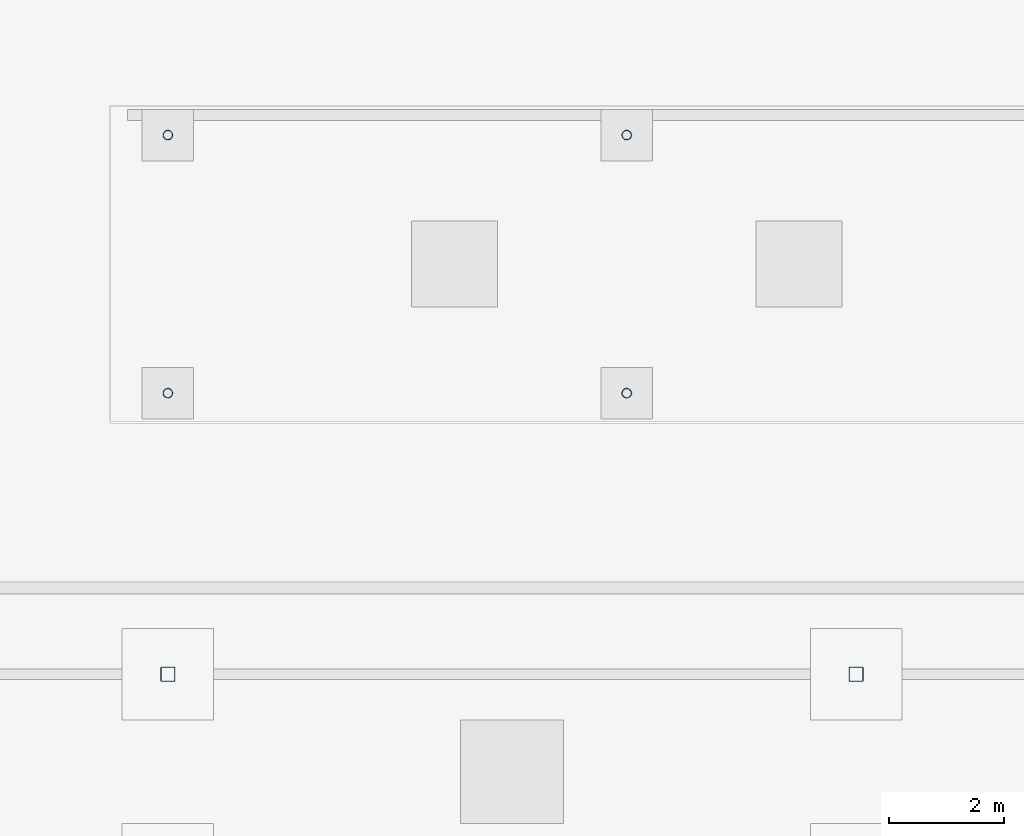
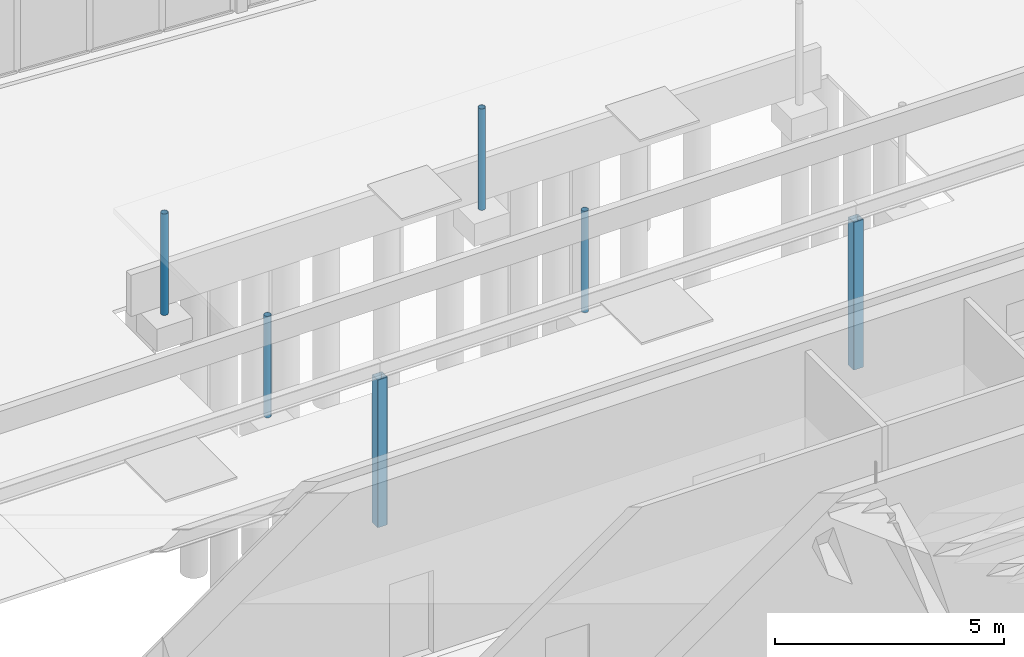
# One storey, part 16 of 157: 6 columns.
"""IFC4 building model written with IfcOpenShell, lengths in metres."""

import ifcopenshell
import ifcopenshell.guid

model = None  # the IFC model being written
_history = None  # IfcOwnerHistory: only IFC2X3 demands one
_inside = {}  # id of a spatial element -> (the spatial element, [elements in it])
_under = {}  # id of a project, library or spatial element -> (it, [spatial elements below it])
_declared = {}  # id of a project -> (the project, [libraries it declares])
_typed = {}  # id of a type object -> (the type object, [elements of that type])
_made_of = {}  # id of a material, layer set ... -> (it, [elements and type objects made of it])


def new_model(schema):
    """Start an empty IFC model of exactly this schema.

    Asked for "IFC4X3", IfcOpenShell would pick the latest addendum, in which some entities
    have other attributes; the version numbers below select the first issue.
    IFC2X3 requires an IfcOwnerHistory on every rooted entity: one is made here for all.
    """
    global model, _history
    if schema == "IFC4X3":
        model = ifcopenshell.file(schema_version=(4, 3, 0, 0))
    else:
        model = ifcopenshell.file(schema=schema)
    _inside.clear()
    _under.clear()
    _declared.clear()
    _typed.clear()
    _made_of.clear()
    _history = None
    if model.schema == "IFC2X3":
        org = make("IfcOrganization", Name="unknown")
        user = make(
            "IfcPersonAndOrganization",
            ThePerson=make("IfcPerson", FamilyName="unknown"),
            TheOrganization=org,
        )
        app = make(
            "IfcApplication",
            ApplicationDeveloper=org,
            Version="unknown",
            ApplicationFullName="unknown",
            ApplicationIdentifier="unknown",
        )
        _history = make(
            "IfcOwnerHistory",
            OwningUser=user,
            OwningApplication=app,
            ChangeAction="ADDED",
            CreationDate=0,
        )
    return model


def make(cls, **values):
    """One entity of the class cls with the attributes given. An attribute that is None is left unset."""
    return model.create_entity(
        cls, **{name: value for name, value in values.items() if value is not None}
    )


def rooted(cls, **values):
    """An entity with a GlobalId (a new one), such as an element, a storey or a relation."""
    return make(cls, GlobalId=ifcopenshell.guid.new(), OwnerHistory=_history, **values)


def si_unit(unit_type, name, prefix=None):
    """IfcSIUnit, for example si_unit("LENGTHUNIT", "METRE", prefix="MILLI")."""
    return make("IfcSIUnit", UnitType=unit_type, Prefix=prefix, Name=name)


def assignment(units):
    """IfcUnitAssignment: the units of a project."""
    return None if units is None else make("IfcUnitAssignment", Units=units)


def point(xyz):
    """IfcCartesianPoint."""
    return None if xyz is None else make("IfcCartesianPoint", Coordinates=xyz)


def direction(xyz):
    """IfcDirection."""
    return None if xyz is None else make("IfcDirection", DirectionRatios=xyz)


def frame(location, z_axis=None, x_axis=None):
    """IfcAxis2Placement3D, a coordinate frame: its origin and axes. An axis left out is left unset."""
    return make(
        "IfcAxis2Placement3D",
        Location=point(location),
        Axis=direction(z_axis),
        RefDirection=direction(x_axis),
    )


def frame_2d(location, x_axis=None):
    """IfcAxis2Placement2D, a coordinate frame in the plane: its origin and x axis."""
    return make(
        "IfcAxis2Placement2D", Location=point(location), RefDirection=direction(x_axis)
    )


def origin():
    """The frame at (0, 0, 0) with its axes left unset."""
    return frame((0.0, 0.0, 0.0))


def origin_2d():
    """The frame at (0, 0) in the plane with its x axis left unset."""
    return frame_2d((0.0, 0.0))


def place(relative_to, where):
    """IfcLocalPlacement: puts the frame where relative to a parent placement (None: the world)."""
    return make(
        "IfcLocalPlacement", PlacementRelTo=relative_to, RelativePlacement=where
    )


def context(
    kind, dimensions, precision=None, world=None, true_north=None, identifier=None
):
    """IfcGeometricRepresentationContext, for example the 3D "Model" context."""
    return make(
        "IfcGeometricRepresentationContext",
        ContextIdentifier=identifier,
        ContextType=kind,
        CoordinateSpaceDimension=dimensions,
        Precision=precision,
        WorldCoordinateSystem=world,
        TrueNorth=true_north,
    )


def subcontext(parent, identifier, kind, view, scale=None):
    """IfcGeometricRepresentationSubContext, for example "Body" below "Model"."""
    return make(
        "IfcGeometricRepresentationSubContext",
        ContextIdentifier=identifier,
        ContextType=kind,
        ParentContext=parent,
        TargetScale=scale,
        TargetView=view,
    )


def project(units=None, contexts=None):
    """IfcProject with its units and contexts."""
    return rooted(
        "IfcProject",
        Name="project",
        RepresentationContexts=contexts,
        UnitsInContext=assignment(units),
    )


def spatial(cls, under=None, at=None, **own):
    """A site, building, storey or space (cls), placed at a placement, below another one or the project."""
    s = rooted(cls, ObjectPlacement=at, **own)
    if under is not None:
        _under.setdefault(under.id(), (under, []))[1].append(s)
    return s


def profile(cls, at=None, kind="AREA", **sizes):
    """A parametric profile (cls). Its sizes go by their IFC names, for example OverallWidth=200.0."""
    return make(cls, ProfileType=kind, Position=at, **sizes)


def hollow_rectangle(**sizes):
    """IfcRectangleHollowProfileDef."""
    return profile("IfcRectangleHollowProfileDef", **sizes)


def hollow_circle(**sizes):
    """IfcCircleHollowProfileDef."""
    return profile("IfcCircleHollowProfileDef", **sizes)


def extrude(swept, where, along, depth):
    """IfcExtrudedAreaSolid: the profile swept, set in the frame where, extruded along a direction by depth."""
    return make(
        "IfcExtrudedAreaSolid",
        SweptArea=swept,
        Position=where,
        ExtrudedDirection=direction(along),
        Depth=depth,
    )


def shape(context_of_items, identifier, shape_type, items):
    """IfcShapeRepresentation: the items that make up one representation, for example the "Body"."""
    return make(
        "IfcShapeRepresentation",
        ContextOfItems=context_of_items,
        RepresentationIdentifier=identifier,
        RepresentationType=shape_type,
        Items=items,
    )


def material(Name=None, Category=None):
    """IfcMaterial."""
    return make("IfcMaterial", Name=Name, Category=Category)


def material_profile(
    of_material, cross_section, Name=None, Category=None, Priority=None
):
    """IfcMaterialProfile: a cross section and its material."""
    return make(
        "IfcMaterialProfile",
        Name=Name,
        Material=of_material,
        Profile=cross_section,
        Priority=Priority,
        Category=Category,
    )


def profile_set(profiles, Name=None, composite=None):
    """IfcMaterialProfileSet."""
    return make(
        "IfcMaterialProfileSet",
        Name=Name,
        MaterialProfiles=profiles,
        CompositeProfile=composite,
    )


def made_of(thing, what):
    """Note that an element or type object is made of a material, layer set ...; save() writes the relation."""
    if what is not None:
        _made_of.setdefault(what.id(), (what, []))[1].append(thing)
    return thing


def type_object(cls, material=None, **own):
    """A type object (cls), such as IfcWallType, which elements share."""
    return made_of(rooted(cls, **own), material)


def element(
    cls,
    number,
    at=None,
    inside=None,
    cuts=None,
    type_object=None,
    material=None,
    context=None,
    identifier="Body",
    shape_type=None,
    held_by="IfcProductDefinitionShape",
    body=None,
    shapes=None,
    **own,
):
    """One element of the class cls, such as IfcWall. Its Tag is "e" and its number.

    at: its placement. inside: the storey or other place that contains it. cuts: it is an
    opening in that element (IfcRelVoidsElement). A single representation is given by context,
    identifier, shape_type and body (its items); several are given by shapes. held_by: the class
    of the entity that holds the representations. save() writes the other relations.
    """
    e = rooted(cls, Tag="e%d" % number, ObjectPlacement=at, **own)
    if body is not None:
        shapes = [shape(context, identifier, shape_type, body)]
    if shapes is not None:
        e.Representation = make(held_by, Representations=shapes)
    if inside is not None:
        _inside.setdefault(inside.id(), (inside, []))[1].append(e)
    if cuts is not None:
        rooted(
            "IfcRelVoidsElement", RelatingBuildingElement=cuts, RelatedOpeningElement=e
        )
    if type_object is not None:
        _typed.setdefault(type_object.id(), (type_object, []))[1].append(e)
    return made_of(e, material)


def aggregate(whole, parts):
    """IfcRelAggregates: a whole, such as a stair, and the parts it consists of."""
    return rooted("IfcRelAggregates", RelatingObject=whole, RelatedObjects=parts)


def save(model, path):
    """Write the relations noted so far, then the file.

    IfcRelAggregates (storeys below a building ...), IfcRelContainedInSpatialStructure (elements
    in a storey), IfcRelDefinesByType, IfcRelAssociatesMaterial and IfcRelDeclares: one each for
    every whole, place, type object, material and project.
    """
    for whole, parts in _under.values():
        aggregate(whole, parts)
    for where, things in _inside.values():
        rooted(
            "IfcRelContainedInSpatialStructure",
            RelatedElements=things,
            RelatingStructure=where,
        )
    for kind, things in _typed.values():
        rooted("IfcRelDefinesByType", RelatedObjects=things, RelatingType=kind)
    for what, things in _made_of.values():
        rooted("IfcRelAssociatesMaterial", RelatedObjects=things, RelatingMaterial=what)
    for by, libraries in _declared.values():
        rooted("IfcRelDeclares", RelatingContext=by, RelatedDefinitions=libraries)
    model.write(path)


model = new_model("IFC4")

# Units and contexts
model_context = context("Model", 3, precision=1e-05, world=origin(), true_north=direction((0.0, 1.0)))
body_context = subcontext(model_context, "Body", "Model", "MODEL_VIEW")
ifc_project = project(units=[si_unit("LENGTHUNIT", "METRE"), si_unit("AREAUNIT", "SQUARE_METRE"), si_unit("VOLUMEUNIT", "CUBIC_METRE"), si_unit("PLANEANGLEUNIT", "RADIAN"), si_unit("MASSUNIT", "GRAM", prefix="KILO")], contexts=[model_context])

# Site, building, storey
site_placement = place(None, origin())
site = spatial("IfcSite", under=ifc_project, at=site_placement, CompositionType="ELEMENT")
building_placement = place(site_placement, origin())
building = spatial("IfcBuilding", under=site, at=building_placement, Name="Windward Yard Aquatics Centre", CompositionType="ELEMENT")
storey_placement = place(building_placement, origin())
storey = spatial("IfcBuildingStorey", under=building, at=storey_placement, Name="L00", CompositionType="ELEMENT", Elevation=0.0)

# Columns
ifc_material = material(Name="Steel ASTM A500 Gr C", Category="steel")
ifc_material_profile_1 = material_profile(ifc_material, hollow_rectangle(XDim=0.25390625, YDim=0.25390625, WallThickness=0.0126953125, InnerFilletRadius=0.00634765625, OuterFilletRadius=0.01904296875, at=origin_2d()), Name="HSS254X254X12.7")
ifc_profile_set_1 = profile_set([ifc_material_profile_1], Name="Steel ASTM A500 Gr C")
column_type_1 = type_object("IfcColumnType", Name="A column HSS254X254X12.7", PredefinedType="COLUMN", material=ifc_profile_set_1)
for number, where, z_axis, x_axis, name in (
    (1, (72.0, 100.39990234375, 0.0), (0.0, 0.0, 1.0), (1.0, 0.0, 0.0), "A.COL.L00.3.2"),
    (2, (84.0, 100.39990234375, 0.0), (0.0, 0.0, 1.0), (1.0, 0.0, 0.0), "A.COL.L00.4.2"),
):
    element("IfcColumn", number, at=place(storey_placement, frame(where, z_axis=z_axis, x_axis=x_axis)), inside=storey, type_object=column_type_1, Name=name, PredefinedType="COLUMN", context=body_context, shape_type="SweptSolid", body=[
        extrude(hollow_rectangle(XDim=0.25390625, YDim=0.25390625, WallThickness=0.0126953125, InnerFilletRadius=0.00634765625, OuterFilletRadius=0.01904296875, at=origin_2d()), origin(), (0.0, 0.0, 1.0), 3.93310546875),
    ])
ifc_material_profile_2 = material_profile(ifc_material, hollow_circle(Radius=0.084228515625, WallThickness=0.007080078125, at=origin_2d()), Name="HSS168.3X7.1")
ifc_profile_set_2 = profile_set([ifc_material_profile_2], Name="Steel ASTM A500 Gr C")
column_type_2 = type_object("IfcColumnType", Name="X Shelter Post HSS168.3X7.1", PredefinedType="COLUMN", material=ifc_profile_set_2)
for number, where, z_axis, x_axis, name in (
    (3, (72.0, 105.300048828125, -0.10009765625), (0.0, 0.0, 1.0), (1.0, 0.0, 0.0), "Bicycle shelter post 1"),
    (4, (72.0, 109.800048828125, -0.10009765625), (0.0, 0.0, 1.0), (1.0, 0.0, 0.0), "Bicycle shelter post 2"),
    (5, (80.0, 105.300048828125, -0.10009765625), (0.0, 0.0, 1.0), (1.0, 0.0, 0.0), "Bicycle shelter post 3"),
    (6, (80.0, 109.800048828125, -0.10009765625), (0.0, 0.0, 1.0), (1.0, 0.0, 0.0), "Bicycle shelter post 4"),
):
    element("IfcColumn", number, at=place(storey_placement, frame(where, z_axis=z_axis, x_axis=x_axis)), inside=storey, type_object=column_type_2, Name=name, PredefinedType="COLUMN", context=body_context, shape_type="SweptSolid", body=[
        extrude(hollow_circle(Radius=0.084228515625, WallThickness=0.007080078125, at=origin_2d()), origin(), (0.0, 0.0, 1.0), 2.7001953125),
    ])

save(model, "model.ifc")
